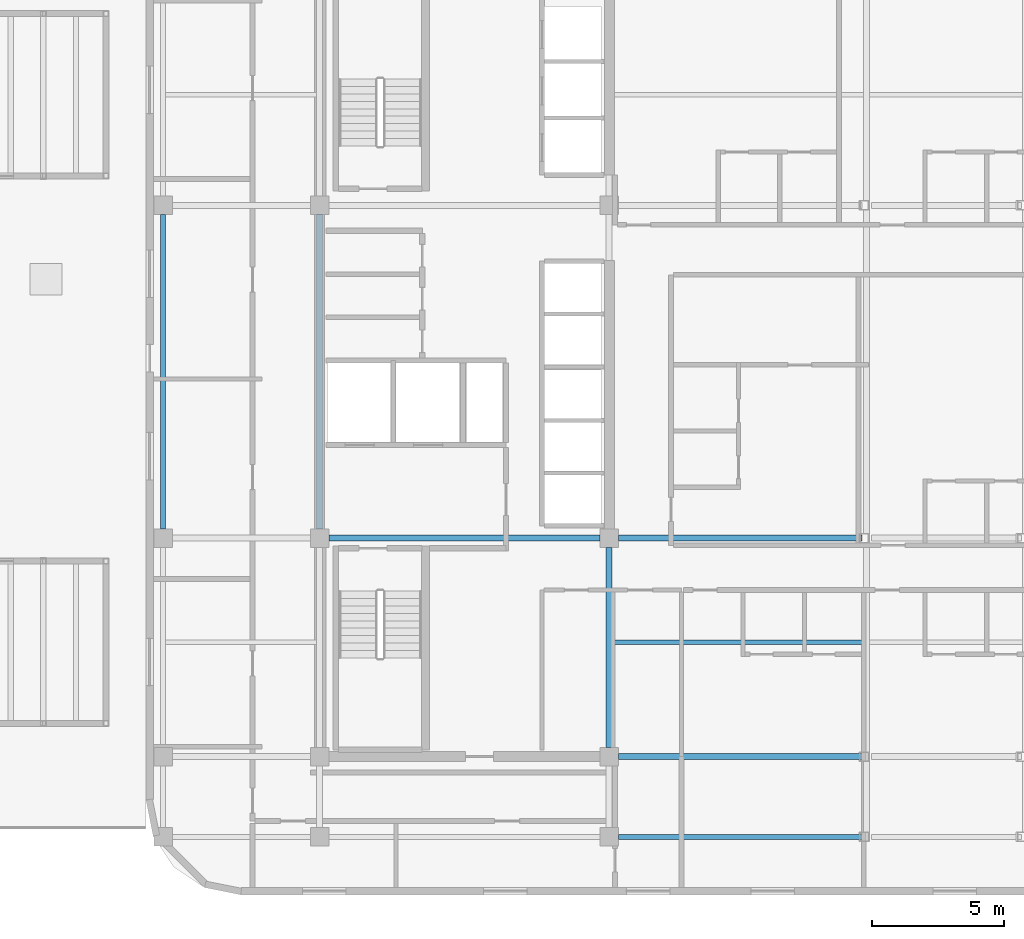
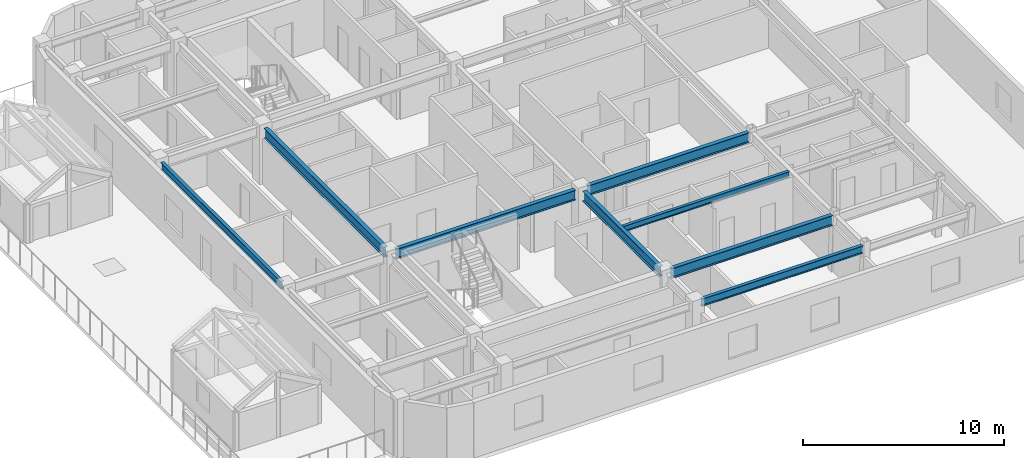
# One storey, part 3 of 16: 8 beams.
"""IFC4 building model written with IfcOpenShell, lengths in metres."""

from ifc_helpers import new_model, si_unit, direction, frame, origin, origin_2d, place, context, subcontext, project, spatial, i_section, extrude, material, material_profile, profile_set, type_object, element, save


model = new_model("IFC4")

# Units and contexts
model_context = context("Model", 3, precision=1e-05, world=origin(), true_north=direction((0.0, 1.0)))
body_context = subcontext(model_context, "Body", "Model", "MODEL_VIEW")
ifc_project = project(units=[si_unit("LENGTHUNIT", "METRE"), si_unit("AREAUNIT", "SQUARE_METRE"), si_unit("VOLUMEUNIT", "CUBIC_METRE"), si_unit("PLANEANGLEUNIT", "RADIAN"), si_unit("MASSUNIT", "GRAM", prefix="KILO")], contexts=[model_context])

# Site, building, storey
site_placement = place(None, origin())
site = spatial("IfcSite", under=ifc_project, at=site_placement, CompositionType="ELEMENT")
building_placement = place(site_placement, origin())
building = spatial("IfcBuilding", under=site, at=building_placement, Name="Ochreholt Gables", CompositionType="ELEMENT")
storey_placement = place(building_placement, frame((0.0, 0.0, 141.0)))
storey = spatial("IfcBuildingStorey", under=building, at=storey_placement, Name="L36", CompositionType="ELEMENT", Elevation=141.0)

# Beams
ifc_material = material(Name="Steel CSA G40.21 350W", Category="steel")
ifc_material_profile_1 = material_profile(ifc_material, i_section(OverallWidth=0.22900390625, OverallDepth=0.612060546875, WebThickness=0.011962890625, FlangeThickness=0.01953125, at=origin_2d()), Name="W610X125")
ifc_profile_set_1 = profile_set([ifc_material_profile_1], Name="Steel CSA G40.21 350W")
beam_type_1 = type_object("IfcBeamType", Name="BM-G-W610B", PredefinedType="BEAM", material=ifc_profile_set_1)
beam_1_placement = place(storey_placement, frame((35.549560546875, 9.25, 3.053955078125), z_axis=(1.0, 0.0, 0.0), x_axis=(0.0, 1.0, 0.0)))
element("IfcBeam", 1, at=beam_1_placement, inside=storey, type_object=beam_type_1, Name="L36 Beam TBG-L36-C2EM-Y2", PredefinedType="BEAM", context=body_context, shape_type="SweptSolid", body=[
    extrude(i_section(OverallWidth=0.22900390625, OverallDepth=0.612060546875, WebThickness=0.011962890625, FlangeThickness=0.01953125, at=origin_2d()), origin(), (0.0, 0.0, 1.0), 9.269775390625),
])
beam_2_placement = place(storey_placement, frame((24.549560546875, 17.550048828125, 3.053955078125), z_axis=(1.0, 0.0, 0.0), x_axis=(0.0, 1.0, 0.0)))
element("IfcBeam", 2, at=beam_2_placement, inside=storey, type_object=beam_type_1, Name="L36 Beam TBG-L36-C1C2-Y3", PredefinedType="BEAM", context=body_context, shape_type="SweptSolid", body=[
    extrude(i_section(OverallWidth=0.22900390625, OverallDepth=0.612060546875, WebThickness=0.011962890625, FlangeThickness=0.01953125, at=origin_2d()), origin(), (0.0, 0.0, 1.0), 10.30078125),
])
beam_3_placement = place(storey_placement, frame((35.549560546875, 17.550048828125, 3.053955078125), z_axis=(1.0, 0.0, 0.0), x_axis=(0.0, 1.0, 0.0)))
element("IfcBeam", 3, at=beam_3_placement, inside=storey, type_object=beam_type_1, Name="L36 Beam TBG-L36-C2EM-Y3", PredefinedType="BEAM", context=body_context, shape_type="SweptSolid", body=[
    extrude(i_section(OverallWidth=0.22900390625, OverallDepth=0.612060546875, WebThickness=0.011962890625, FlangeThickness=0.01953125, at=origin_2d()), origin(), (0.0, 0.0, 1.0), 9.269775390625),
])
beam_4_placement = place(storey_placement, frame((24.199951171875, 17.899658203125, 3.053955078125), z_axis=(0.0, 1.0, 0.0), x_axis=(-1.0, 0.0, 0.0)))
element("IfcBeam", 4, at=beam_4_placement, inside=storey, type_object=beam_type_1, Name="L36 Beam TBN-L36-C1-Y3Y4", PredefinedType="BEAM", context=body_context, shape_type="SweptSolid", body=[
    extrude(i_section(OverallWidth=0.22900390625, OverallDepth=0.612060546875, WebThickness=0.011962890625, FlangeThickness=0.01953125, at=origin_2d()), origin(), (0.0, 0.0, 1.0), 11.95068359375),
])
beam_5_placement = place(storey_placement, frame((35.199951171875, 9.599609375, 3.053955078125), z_axis=(0.0, 1.0, 0.0), x_axis=(-1.0, 0.0, 0.0)))
element("IfcBeam", 5, at=beam_5_placement, inside=storey, type_object=beam_type_1, Name="L36 Beam TBN-L36-C2-Y2Y3", PredefinedType="BEAM", context=body_context, shape_type="SweptSolid", body=[
    extrude(i_section(OverallWidth=0.22900390625, OverallDepth=0.612060546875, WebThickness=0.011962890625, FlangeThickness=0.01953125, at=origin_2d()), origin(), (0.0, 0.0, 1.0), 7.600830078125),
])
ifc_material_profile_2 = material_profile(ifc_material, i_section(OverallWidth=0.172119140625, OverallDepth=0.35791015625, WebThickness=0.0078125, FlangeThickness=0.01318359375, at=origin_2d()), Name="W360X57")
ifc_profile_set_2 = profile_set([ifc_material_profile_2], Name="Steel CSA G40.21 350W")
beam_type_2 = type_object("IfcBeamType", Name="BM-J-W360B", PredefinedType="JOIST", material=ifc_profile_set_2)
beam_6_placement = place(storey_placement, frame((35.314208984375, 13.60009765625, 3.180908203125), z_axis=(1.0, 0.0, 0.0), x_axis=(0.0, 1.0, 0.0)))
element("IfcBeam", 6, at=beam_6_placement, inside=storey, type_object=beam_type_2, Name="L36 Beam TBJ-L36-J1-C2EM", PredefinedType="JOIST", context=body_context, shape_type="SweptSolid", body=[
    extrude(i_section(OverallWidth=0.172119140625, OverallDepth=0.35791015625, WebThickness=0.0078125, FlangeThickness=0.01318359375, at=origin_2d()), origin(), (0.0, 0.0, 1.0), 9.551513671875),
])
ifc_material_profile_3 = material_profile(ifc_material, i_section(OverallWidth=0.19189453125, OverallDepth=0.462890625, WebThickness=0.010498046875, FlangeThickness=0.017578125, at=origin_2d()), Name="W460X89")
ifc_profile_set_3 = profile_set([ifc_material_profile_3], Name="Steel CSA G40.21 350W")
beam_type_3 = type_object("IfcBeamType", Name="BM-SP-W460A", PredefinedType="SPANDREL", material=ifc_profile_set_3)
beam_7_placement = place(storey_placement, frame((35.549560546875, 6.199951171875, 3.12841796875), z_axis=(1.0, 0.0, 0.0), x_axis=(0.0, 1.0, 0.0)))
element("IfcBeam", 7, at=beam_7_placement, inside=storey, type_object=beam_type_3, Name="L36 Beam TBG-L36-C2EM-Y1", PredefinedType="SPANDREL", context=body_context, shape_type="SweptSolid", body=[
    extrude(i_section(OverallWidth=0.19189453125, OverallDepth=0.462890625, WebThickness=0.010498046875, FlangeThickness=0.017578125, at=origin_2d()), origin(), (0.0, 0.0, 1.0), 9.269775390625),
])
beam_8_placement = place(storey_placement, frame((18.25, 17.899658203125, 3.12841796875), z_axis=(0.0, 1.0, 0.0), x_axis=(-1.0, 0.0, 0.0)))
element("IfcBeam", 8, at=beam_8_placement, inside=storey, type_object=beam_type_3, Name="L36 Beam TBN-L36-W3-Y3Y4", PredefinedType="SPANDREL", context=body_context, shape_type="SweptSolid", body=[
    extrude(i_section(OverallWidth=0.19189453125, OverallDepth=0.462890625, WebThickness=0.010498046875, FlangeThickness=0.017578125, at=origin_2d()), origin(), (0.0, 0.0, 1.0), 11.95068359375),
])

save(model, "model.ifc")
